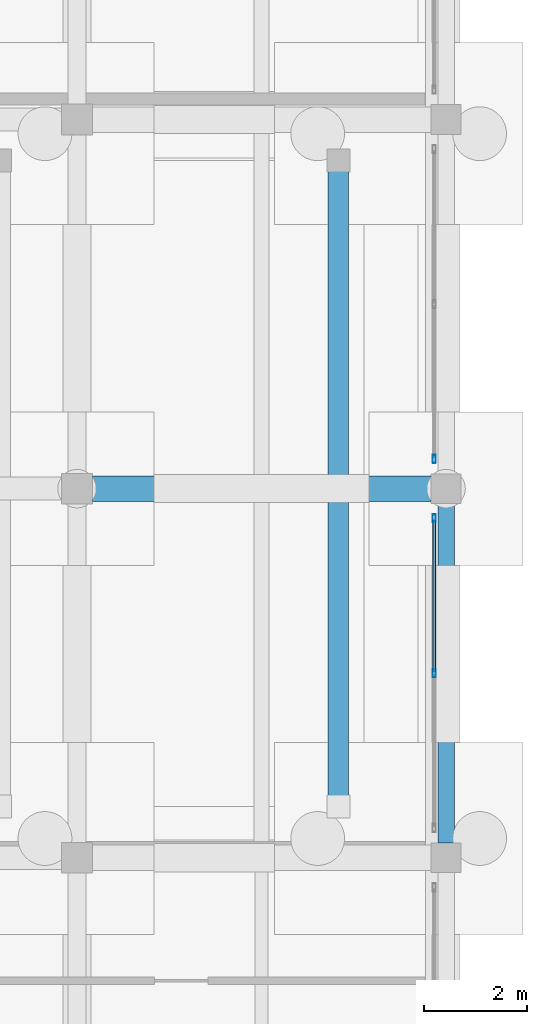
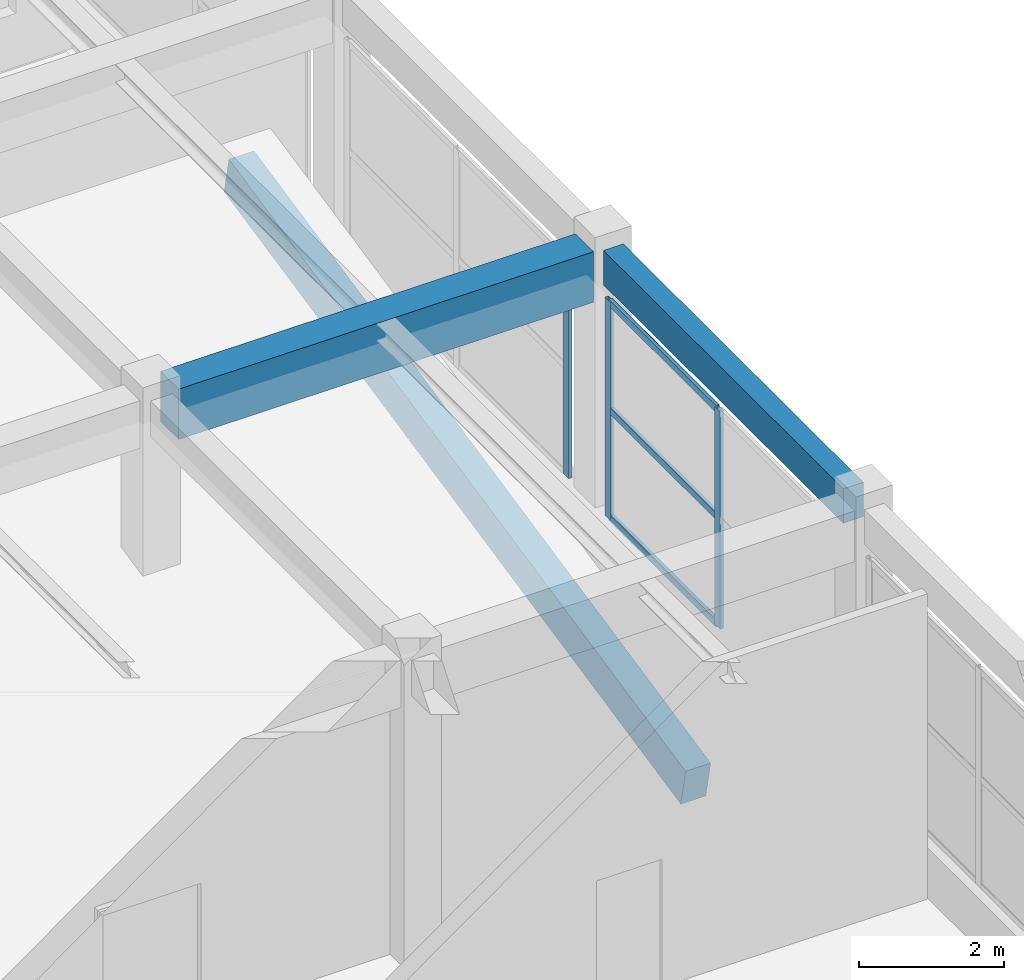
# One storey, part 19 of 91: 6 members, 3 beams, 2 elements without a shape of their own.
"""IFC4 building model written with IfcOpenShell, lengths in metres."""

from ifc_helpers import new_model, si_unit, direction, frame, origin, origin_2d, place, context, subcontext, project, spatial, rectangle, hollow_rectangle, extrude, material, material_profile, profile_set, type_object, element, aggregate, save


model = new_model("IFC4")

# Units and contexts
model_context = context("Model", 3, precision=1e-05, world=origin(), true_north=direction((0.0, 1.0)))
body_context = subcontext(model_context, "Body", "Model", "MODEL_VIEW")
ifc_project = project(units=[si_unit("LENGTHUNIT", "METRE"), si_unit("AREAUNIT", "SQUARE_METRE"), si_unit("VOLUMEUNIT", "CUBIC_METRE"), si_unit("PLANEANGLEUNIT", "RADIAN"), si_unit("MASSUNIT", "GRAM", prefix="KILO")], contexts=[model_context])

# Site, building, storey
site_placement = place(None, origin())
site = spatial("IfcSite", under=ifc_project, at=site_placement, CompositionType="ELEMENT")
building_placement = place(site_placement, origin())
building = spatial("IfcBuilding", under=site, at=building_placement, Name="Bramveld Media Centre", CompositionType="ELEMENT")
storey_placement = place(building_placement, origin())
storey = spatial("IfcBuildingStorey", under=building, at=storey_placement, Name="L00", CompositionType="ELEMENT", Elevation=0.0)

# Beams
ifc_material_1 = material(Name="Concrete C40/50", Category="concrete")
ifc_material_profile_1 = material_profile(ifc_material_1, rectangle(XDim=0.39990234375, YDim=0.64990234375, at=origin_2d()), Name="RC 400x650")
ifc_profile_set_1 = profile_set([ifc_material_profile_1], Name="Concrete C40/50")
beam_type_1 = type_object("IfcBeamType", Name="BM-INT-RC-400x650", PredefinedType="BEAM", material=ifc_profile_set_1)
beam_1_placement = place(storey_placement, frame((33.89990234375, 47.39990234375, 0.425048828125), z_axis=(0.0, 0.978278642326, 0.20729423043), x_axis=(-1.0, 0.0, 0.0)))
element("IfcBeam", 1, at=beam_1_placement, inside=storey, type_object=beam_type_1, Name="Cinema 4 Raked Seating Slab raker beam 3", PredefinedType="BEAM", context=body_context, shape_type="SweptSolid", body=[
    extrude(rectangle(XDim=0.39990234375, YDim=0.64990234375, at=origin_2d()), origin(), (0.0, 0.0, 1.0), 12.8798828125),
])
ifc_material_2 = material(Name="Concrete C40/50", Category="concrete")
ifc_material_profile_2 = material_profile(ifc_material_2, rectangle(XDim=0.5, YDim=0.85009765625, at=origin_2d()), Name="RC 500x850")
ifc_profile_set_2 = profile_set([ifc_material_profile_2], Name="Concrete C40/50")
beam_type_2 = type_object("IfcBeamType", Name="BM-INT-RC-500x850", PredefinedType="BEAM", material=ifc_profile_set_2)
beam_2_placement = place(storey_placement, frame((29.10009765625, 53.60009765625, 4.715087890625), z_axis=(1.0, 0.0, 0.0), x_axis=(0.0, 1.0, 0.0)))
element("IfcBeam", 2, at=beam_2_placement, inside=storey, type_object=beam_type_2, Name="V3 L00 girder X-205", PredefinedType="BEAM", context=body_context, shape_type="SweptSolid", body=[
    extrude(rectangle(XDim=0.5, YDim=0.85009765625, at=origin_2d()), origin(), (0.0, 0.0, 1.0), 6.60986328125),
])

# Curtain wall, members
ifc_material_3 = material(Name="Thermally broken anodized bronze aluminium unitized curtain wall with solar-control triple glazing", Category="aluminium")
curtain_wall_type = type_object("IfcCurtainWallType", Name="CW-FACV3-6100x3670", PredefinedType="NOTDEFINED", material=ifc_material_3)
curtain_wall_1_placement = place(storey_placement, origin())
curtain_wall_1 = element("IfcCurtainWall", 3, at=curtain_wall_1_placement, inside=storey, type_object=curtain_wall_type, Name="V3 L00 E curtain wall bay 2", PredefinedType="NOTDEFINED")
ifc_material_4 = material(Name="Thermally broken anodized bronze aluminium EN AW-6063 T6 curtain-wall framing", Category="aluminium")
ifc_material_profile_3 = material_profile(ifc_material_4, hollow_rectangle(XDim=0.06005859375, YDim=0.159912109375, WallThickness=0.00390625, InnerFilletRadius=0.00390625, OuterFilletRadius=0.008056640625, at=origin_2d()), Name="AL-MULL 60x160")
ifc_profile_set_3 = profile_set([ifc_material_profile_3], Name="Thermally broken anodized bronze aluminium EN AW-6063 T6 curtain-wall framing")
member_type_1 = type_object("IfcMemberType", Name="CW-MULL-EXT", PredefinedType="MULLION", material=ifc_profile_set_3)
member_1_placement = place(storey_placement, frame((35.77001953125, 50.0, 0.85009765625), z_axis=(0.0, 0.0, 1.0), x_axis=(-1.0, 0.0, 0.0)))
member_1 = element("IfcMember", 4, at=member_1_placement, type_object=member_type_1, Name="CW-FA-6136 mullion 2", PredefinedType="MULLION", context=body_context, shape_type="SweptSolid", body=[
    extrude(hollow_rectangle(XDim=0.06005859375, YDim=0.159912109375, WallThickness=0.00390625, InnerFilletRadius=0.00390625, OuterFilletRadius=0.008056640625, at=origin_2d()), origin(), (0.0, 0.0, 1.0), 3.669921875),
])
member_2_placement = place(storey_placement, frame((35.77001953125, 53.02001953125, 0.85009765625), z_axis=(0.0, 0.0, 1.0), x_axis=(-1.0, 0.0, 0.0)))
member_2 = element("IfcMember", 5, at=member_2_placement, type_object=member_type_1, Name="CW-FA-6136 mullion 3", PredefinedType="MULLION", context=body_context, shape_type="SweptSolid", body=[
    extrude(hollow_rectangle(XDim=0.06005859375, YDim=0.159912109375, WallThickness=0.00390625, InnerFilletRadius=0.00390625, OuterFilletRadius=0.008056640625, at=origin_2d()), origin(), (0.0, 0.0, 1.0), 3.669921875),
])

# Curtain wall, member
curtain_wall_2_placement = place(storey_placement, origin())
curtain_wall_2 = element("IfcCurtainWall", 6, at=curtain_wall_2_placement, inside=storey, type_object=curtain_wall_type, Name="V3 L00 E curtain wall bay 3", PredefinedType="NOTDEFINED")
member_3_placement = place(storey_placement, frame((35.77001953125, 54.179931640625, 0.85009765625), z_axis=(0.0, 0.0, 1.0), x_axis=(-1.0, 0.0, 0.0)))
member_3 = element("IfcMember", 7, at=member_3_placement, type_object=member_type_1, Name="CW-FA-6136 mullion 1", PredefinedType="MULLION", context=body_context, shape_type="SweptSolid", body=[
    extrude(hollow_rectangle(XDim=0.06005859375, YDim=0.159912109375, WallThickness=0.00390625, InnerFilletRadius=0.00390625, OuterFilletRadius=0.008056640625, at=origin_2d()), origin(), (0.0, 0.0, 1.0), 3.669921875),
])
aggregate(curtain_wall_2, [member_3])

# Member
ifc_material_5 = material(Name="Thermally broken anodized bronze aluminium EN AW-6063 T6 curtain-wall framing", Category="aluminium")
ifc_material_profile_4 = material_profile(ifc_material_5, hollow_rectangle(XDim=0.06005859375, YDim=0.1201171875, WallThickness=0.00341796875, InnerFilletRadius=0.00341796875, OuterFilletRadius=0.007080078125, at=origin_2d()), Name="AL-TRAN 60x120")
ifc_profile_set_4 = profile_set([ifc_material_profile_4], Name="Thermally broken anodized bronze aluminium EN AW-6063 T6 curtain-wall framing")
member_type_2 = type_object("IfcMemberType", Name="CW-TRAN-EXT", PredefinedType="USERDEFINED", material=ifc_profile_set_4)
member_4_placement = place(storey_placement, frame((35.77001953125, 50.030029296875, 0.8798828125), z_axis=(0.0, 1.0, 0.0), x_axis=(-1.0, 0.0, 0.0)))
member_4 = element("IfcMember", 8, at=member_4_placement, type_object=member_type_2, Name="CW-FA-6136 transom 2.1", ObjectType="TRANSOM", PredefinedType="USERDEFINED", context=body_context, shape_type="SweptSolid", body=[
    extrude(hollow_rectangle(XDim=0.06005859375, YDim=0.1201171875, WallThickness=0.00341796875, InnerFilletRadius=0.00341796875, OuterFilletRadius=0.007080078125, at=origin_2d()), origin(), (0.0, 0.0, 1.0), 2.9599609375),
])

member_5_placement = place(storey_placement, frame((35.77001953125, 50.030029296875, 2.68505859375), z_axis=(0.0, 1.0, 0.0), x_axis=(-1.0, 0.0, 0.0)))
member_5 = element("IfcMember", 9, at=member_5_placement, type_object=member_type_2, Name="CW-FA-6136 transom 2.2", ObjectType="TRANSOM", PredefinedType="USERDEFINED", context=body_context, shape_type="SweptSolid", body=[
    extrude(hollow_rectangle(XDim=0.06005859375, YDim=0.1201171875, WallThickness=0.00341796875, InnerFilletRadius=0.00341796875, OuterFilletRadius=0.007080078125, at=origin_2d()), origin(), (0.0, 0.0, 1.0), 2.9599609375),
])

member_6_placement = place(storey_placement, frame((35.77001953125, 50.030029296875, 4.489990234375), z_axis=(0.0, 1.0, 0.0), x_axis=(-1.0, 0.0, 0.0)))
member_6 = element("IfcMember", 10, at=member_6_placement, type_object=member_type_2, Name="CW-FA-6136 transom 2.3", ObjectType="TRANSOM", PredefinedType="USERDEFINED", context=body_context, shape_type="SweptSolid", body=[
    extrude(hollow_rectangle(XDim=0.06005859375, YDim=0.1201171875, WallThickness=0.00341796875, InnerFilletRadius=0.00341796875, OuterFilletRadius=0.007080078125, at=origin_2d()), origin(), (0.0, 0.0, 1.0), 2.9599609375),
])

aggregate(curtain_wall_1, [member_1, member_2, member_4, member_5, member_6])

# Beam
ifc_material_6 = material(Name="Concrete C40/50", Category="concrete")
ifc_material_profile_5 = material_profile(ifc_material_6, rectangle(XDim=0.320068359375, YDim=0.580078125, at=origin_2d()), Name="RC 320x580")
ifc_profile_set_5 = profile_set([ifc_material_profile_5], Name="Concrete C40/50")
beam_type_3 = type_object("IfcBeamType", Name="SPANDREL-EXT-RC-320x580", PredefinedType="SPANDREL", material=ifc_profile_set_5)
beam_3_placement = place(storey_placement, frame((36.0, 46.68994140625, 4.85009765625), z_axis=(0.0, 1.0, 0.0), x_axis=(-1.0, 0.0, 0.0)))
element("IfcBeam", 11, at=beam_3_placement, inside=storey, type_object=beam_type_3, Name="V3 L00 girder Y-236", PredefinedType="SPANDREL", context=body_context, shape_type="SweptSolid", body=[
    extrude(rectangle(XDim=0.320068359375, YDim=0.580078125, at=origin_2d()), origin(), (0.0, 0.0, 1.0), 6.6201171875),
])

save(model, "model.ifc")
